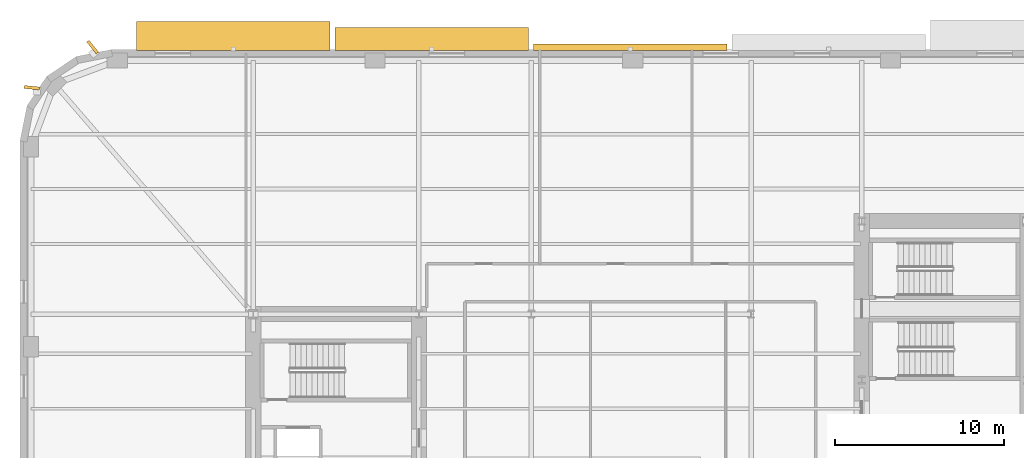
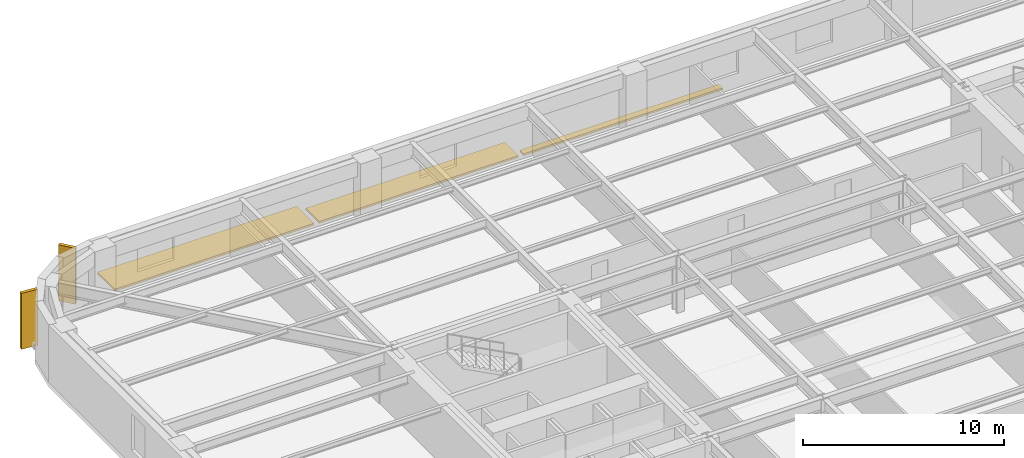
# One storey, part 13 of 15: 5 shading devices.
"""IFC4 building model written with IfcOpenShell, lengths in metres."""

from ifc_helpers import new_model, si_unit, direction, frame, origin, origin_2d, place, context, subcontext, project, spatial, rectangle, extrude, material, type_object, element, save


model = new_model("IFC4")

# Units and contexts
model_context = context("Model", 3, precision=1e-05, world=origin(), true_north=direction((0.0, 1.0)))
body_context = subcontext(model_context, "Body", "Model", "MODEL_VIEW")
ifc_project = project(units=[si_unit("LENGTHUNIT", "METRE"), si_unit("AREAUNIT", "SQUARE_METRE"), si_unit("VOLUMEUNIT", "CUBIC_METRE"), si_unit("PLANEANGLEUNIT", "RADIAN"), si_unit("MASSUNIT", "GRAM", prefix="KILO")], contexts=[model_context])

# Site, building, storey
site_placement = place(None, origin())
site = spatial("IfcSite", under=ifc_project, at=site_placement, CompositionType="ELEMENT")
building_placement = place(site_placement, origin())
building = spatial("IfcBuilding", under=site, at=building_placement, Name="Kolvaren Arena Tower", CompositionType="ELEMENT")
storey_placement = place(building_placement, frame((0.0, 0.0, 72.0)))
storey = spatial("IfcBuildingStorey", under=building, at=storey_placement, Name="L15", CompositionType="ELEMENT", Elevation=72.0)

# Shading devices
ifc_material_1 = material(Name="Precast architectural concrete C50/60 rib fin", Category="concrete")
shading_device_type_1 = type_object("IfcShadingDeviceType", Name="SHAD-FIN-28", PredefinedType="USERDEFINED", material=ifc_material_1)
for number, where, z_axis, x_axis, name in (
    (1, (5.04638671875, 49.6474609375, 0.02001953125), (0.0, 0.0, 1.0), (-0.632722898811, 0.774378288254, 0.0), "Precast 28-Deg Corner Rib Fin (L15)"),
    (2, (1.447021484375, 47.242431640625, 0.02001953125), (0.0, 0.0, 1.0), (-0.994971840066, 0.100155067151, 0.0), "Precast 28-Deg Corner Rib Fin (L15)"),
):
    element("IfcShadingDevice", number, at=place(storey_placement, frame(where, z_axis=z_axis, x_axis=x_axis)), inside=storey, type_object=shading_device_type_1, Name=name, ObjectType="FIN", PredefinedType="USERDEFINED", context=body_context, shape_type="SweptSolid", body=[
        extrude(rectangle(XDim=0.89990234375, YDim=0.179931640625, at=origin_2d()), origin(), (0.0, 0.0, 1.0), 3.39990234375),
    ])
ifc_material_2 = material(Name="Architectural precast GFRC and anodised aluminium sunshade", Category="concrete")
shading_device_type_2 = type_object("IfcShadingDeviceType", Name="SHAD-SINE-A", PredefinedType="USERDEFINED", material=ifc_material_2)
shading_device_1_placement = place(storey_placement, frame((36.85009765625, 49.638671875, -0.14013671875), z_axis=(0.0, 0.0, 1.0), x_axis=(1.0, 0.0, 0.0)))
element("IfcShadingDevice", 3, at=shading_device_1_placement, inside=storey, type_object=shading_device_type_2, Name="Sinusoidal Slab-Edge Sunshade Louvre (L15)", ObjectType="LOUVRE", PredefinedType="USERDEFINED", context=body_context, shape_type="SweptSolid", body=[
    extrude(rectangle(XDim=11.43994140625, YDim=0.377197265625, at=origin_2d()), origin(), (0.0, 0.0, 1.0), 0.1201171875),
])
shading_device_type_3 = type_object("IfcShadingDeviceType", Name="SHAD-SINE-B", PredefinedType="JALOUSIE", material=ifc_material_2)
shading_device_2_placement = place(storey_placement, frame((13.3701171875, 50.30908203125, -0.14013671875), z_axis=(0.0, 0.0, 1.0), x_axis=(1.0, 0.0, 0.0)))
element("IfcShadingDevice", 4, at=shading_device_2_placement, inside=storey, type_object=shading_device_type_3, Name="Sinusoidal Slab-Edge Sunshade Louvre (L15)", PredefinedType="JALOUSIE", context=body_context, shape_type="SweptSolid", body=[
    extrude(rectangle(XDim=11.43994140625, YDim=1.718505859375, at=origin_2d()), origin(), (0.0, 0.0, 1.0), 0.1201171875),
])
shading_device_3_placement = place(storey_placement, frame((25.110107421875, 50.12109375, -0.14013671875), z_axis=(0.0, 0.0, 1.0), x_axis=(1.0, 0.0, 0.0)))
element("IfcShadingDevice", 5, at=shading_device_3_placement, inside=storey, type_object=shading_device_type_3, Name="Sinusoidal Slab-Edge Sunshade Louvre (L15)", PredefinedType="JALOUSIE", context=body_context, shape_type="SweptSolid", body=[
    extrude(rectangle(XDim=11.43994140625, YDim=1.341796875, at=origin_2d()), origin(), (0.0, 0.0, 1.0), 0.1201171875),
])

save(model, "model.ifc")
